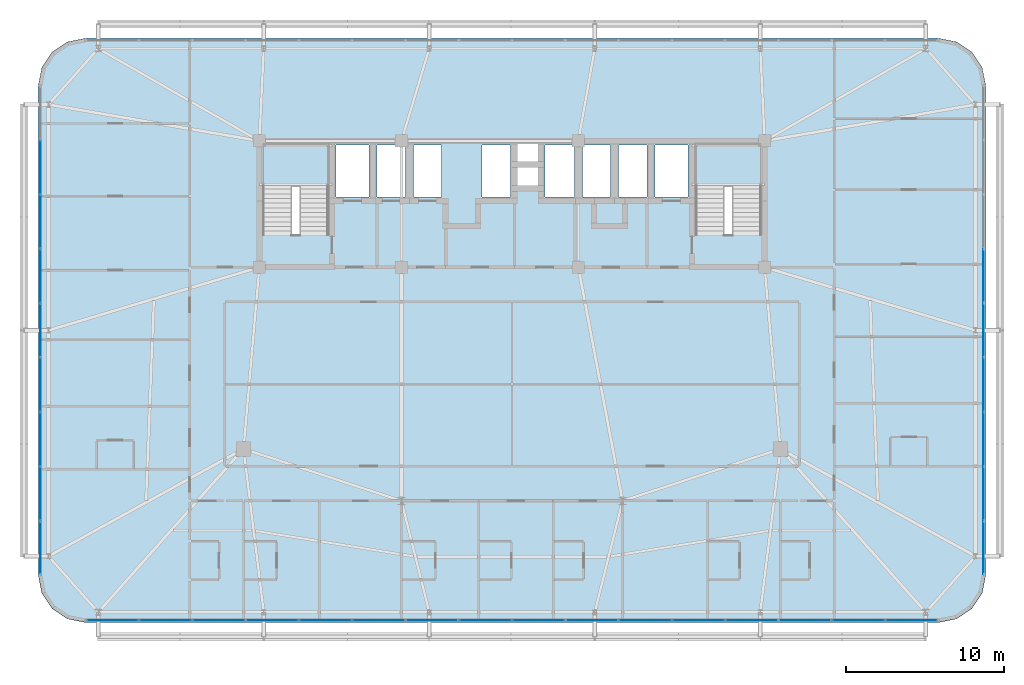
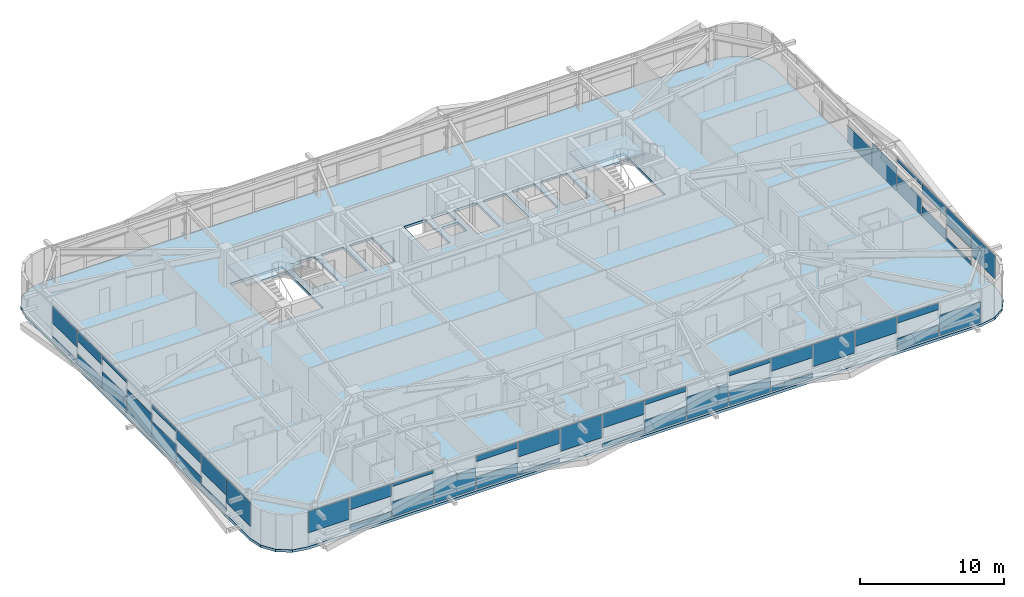
# One storey, part 42 of 59: 48 plates, 3 slabs, 5 elements without a shape of their own.
"""IFC4 building model written with IfcOpenShell, lengths in metres."""

from ifc_helpers import new_model, si_unit, direction, frame, origin, origin_2d, place, context, subcontext, project, spatial, polyline, rectangle, outline, extrude, source, transform, mapped, material, layer, layer_set, type_object, element, aggregate, save


model = new_model("IFC4")

# Units and contexts
model_context = context("Model", 3, precision=1e-05, world=origin(), true_north=direction((0.0, 1.0)))
body_context = subcontext(model_context, "Body", "Model", "MODEL_VIEW")
ifc_project = project(units=[si_unit("LENGTHUNIT", "METRE"), si_unit("AREAUNIT", "SQUARE_METRE"), si_unit("VOLUMEUNIT", "CUBIC_METRE"), si_unit("PLANEANGLEUNIT", "RADIAN"), si_unit("MASSUNIT", "GRAM", prefix="KILO")], contexts=[model_context])

# Site, building, storey
site_placement = place(None, origin())
site = spatial("IfcSite", under=ifc_project, at=site_placement, CompositionType="ELEMENT")
building_placement = place(site_placement, origin())
building = spatial("IfcBuilding", under=site, at=building_placement, Name="Taldren Reach Tower", CompositionType="ELEMENT")
storey_placement = place(building_placement, frame((0.0, 0.0, 23.10009765625)))
storey = spatial("IfcBuildingStorey", under=building, at=storey_placement, Name="L06", CompositionType="ELEMENT", Elevation=23.10009765625)

# Slab
ifc_material_1 = material(Name="Concrete N40 (40 MPa)", Category="concrete")
ifc_layer_1 = layer(ifc_material_1, 0.219970703125)
ifc_layer_set_1 = layer_set([ifc_layer_1], Name="Concrete N40 (40 MPa)")
slab_type_1 = type_object("IfcSlabType", Name="SL-FLR-220", PredefinedType="FLOOR", material=ifc_layer_set_1)
slab_1_placement = place(storey_placement, frame((0.0, 0.0, -0.22021484375)))
element("IfcSlab", 1, at=slab_1_placement, inside=storey, type_object=slab_type_1, Name="Suspended floor slab L06", PredefinedType="FLOOR", context=body_context, shape_type="SweptSolid", body=[
    extrude(outline(polyline([(62.0, 1.5), (63.14794921875, 1.728271484375), (64.121337890625, 2.378662109375), (64.771728515625, 3.35205078125), (65.0, 4.5), (65.0, 35.5), (64.771728515625, 36.64794921875), (64.121337890625, 37.621337890625), (63.14794921875, 38.271728515625), (62.0, 38.5), (8.0, 38.5), (6.85205078125, 38.271728515625), (5.878662109375, 37.621337890625), (5.228271484375, 36.64794921875), (5.0, 35.5), (5.0, 4.5), (5.228271484375, 3.35205078125), (5.878662109375, 2.378662109375), (6.85205078125, 1.728271484375), (8.0, 1.5), (62.0, 1.5)]), holes=[polyline([(19.219970703125, 26.050048828125), (23.3798828125, 26.050048828125), (23.3798828125, 31.820068359375), (19.219970703125, 31.820068359375), (19.219970703125, 26.050048828125)]), polyline([(46.6201171875, 26.050048828125), (50.780029296875, 26.050048828125), (50.780029296875, 31.820068359375), (46.6201171875, 31.820068359375), (46.6201171875, 26.050048828125)]), polyline([(23.85009765625, 28.449951171875), (25.949951171875, 28.449951171875), (25.949951171875, 31.75), (23.85009765625, 31.75), (23.85009765625, 28.449951171875)]), polyline([(44.050048828125, 28.449951171875), (46.14990234375, 28.449951171875), (46.14990234375, 31.75), (44.050048828125, 31.75), (44.050048828125, 28.449951171875)]), polyline([(26.449951171875, 28.449951171875), (28.25, 28.449951171875), (28.25, 31.75), (26.449951171875, 31.75), (26.449951171875, 28.449951171875)]), polyline([(28.75, 28.449951171875), (30.550048828125, 28.449951171875), (30.550048828125, 31.75), (28.75, 31.75), (28.75, 28.449951171875)]), polyline([(33.10009765625, 28.449951171875), (34.89990234375, 28.449951171875), (34.89990234375, 31.75), (33.10009765625, 31.75), (33.10009765625, 28.449951171875)]), polyline([(37.10009765625, 28.449951171875), (38.949951171875, 28.449951171875), (38.949951171875, 31.75), (37.10009765625, 31.75), (37.10009765625, 28.449951171875)]), polyline([(39.449951171875, 28.449951171875), (41.25, 28.449951171875), (41.25, 31.75), (39.449951171875, 31.75), (39.449951171875, 28.449951171875)]), polyline([(41.75, 28.449951171875), (43.550048828125, 28.449951171875), (43.550048828125, 31.75), (41.75, 31.75), (41.75, 28.449951171875)]), polyline([(35.35009765625, 30.64990234375), (36.64990234375, 30.64990234375), (36.64990234375, 31.85009765625), (35.35009765625, 31.85009765625), (35.35009765625, 30.64990234375)]), polyline([(35.35009765625, 29.14990234375), (36.64990234375, 29.14990234375), (36.64990234375, 30.35009765625), (35.35009765625, 30.35009765625), (35.35009765625, 29.14990234375)])]), origin(), (0.0, 0.0, 1.0), 0.22021484375),
])

# Stair, slab
ifc_material_2 = material(Name="Concrete S50 (50 MPa)", Category="concrete")
stair_type = type_object("IfcStairType", Name="ST-HT-315", PredefinedType="HALF_TURN_STAIR", material=ifc_material_2)
stair_1_placement = place(storey_placement, origin())
stair_1 = element("IfcStair", 2, at=stair_1_placement, inside=storey, type_object=stair_type, Name="Fire-isolated exit stair ST1 L06", PredefinedType="HALF_TURN_STAIR")
ifc_layer_2 = layer(ifc_material_2, 0.179931640625)
ifc_layer_set_2 = layer_set([ifc_layer_2], Name="Concrete S50 (50 MPa)")
slab_type_2 = type_object("IfcSlabType", Name="SL-LAND-180", PredefinedType="LANDING", material=ifc_layer_set_2)
slab_2_placement = place(storey_placement, frame((0.0, 0.0, 1.39501953125)))
slab_2 = element("IfcSlab", 3, at=slab_2_placement, type_object=slab_type_2, Name="ST1 landing 1", PredefinedType="LANDING", context=body_context, shape_type="SweptSolid", body=[
    extrude(outline(polyline([(19.0400390625, 29.135009765625), (23.56005859375, 29.135009765625), (23.56005859375, 31.8701171875), (19.0400390625, 31.8701171875), (19.0400390625, 29.135009765625)])), origin(), (0.0, 0.0, 1.0), 0.179931640625),
])
aggregate(stair_1, [slab_2])

stair_2_placement = place(storey_placement, origin())
stair_2 = element("IfcStair", 4, at=stair_2_placement, inside=storey, type_object=stair_type, Name="Fire-isolated exit stair ST2 L06", PredefinedType="HALF_TURN_STAIR")
slab_3_placement = place(storey_placement, frame((0.0, 0.0, 1.39501953125)))
slab_3 = element("IfcSlab", 5, at=slab_3_placement, type_object=slab_type_2, Name="ST2 landing 1", PredefinedType="LANDING", context=body_context, shape_type="SweptSolid", body=[
    extrude(outline(polyline([(46.43994140625, 29.135009765625), (50.9599609375, 29.135009765625), (50.9599609375, 31.8701171875), (46.43994140625, 31.8701171875), (46.43994140625, 29.135009765625)])), origin(), (0.0, 0.0, 1.0), 0.179931640625),
])
aggregate(stair_2, [slab_3])

# Curtain wall, plates
ifc_material_3 = material(Name="Aluminium and Low-E Glass Unitised System", Category="aluminium")
ifc_layer_3 = layer(ifc_material_3, 0.159912109375)
ifc_layer_set_3 = layer_set([ifc_layer_3], Name="Aluminium and Low-E Glass Unitised System")
curtain_wall_type = type_object("IfcCurtainWallType", Name="CW-SYS-2", PredefinedType="NOTDEFINED", material=ifc_layer_set_3)
curtain_wall_1_placement = place(storey_placement, origin())
curtain_wall_1 = element("IfcCurtainWall", 6, at=curtain_wall_1_placement, inside=storey, type_object=curtain_wall_type, Name="Unitised curtain wall CW-L06-S", PredefinedType="NOTDEFINED")
ifc_material_4 = material(Name="Solar-Control Double Glazed IGU", Category="glass")
ifc_layer_4 = layer(ifc_material_4, 0.031982421875)
ifc_layer_set_4 = layer_set([ifc_layer_4], Name="Solar-Control Double Glazed IGU")
plate_type = type_object("IfcPlateType", Name="CW-PNL-IGU32", PredefinedType="CURTAIN_PANEL", material=ifc_layer_set_4)
shared_shape_1 = source(origin(), body_context, "Body", "SweptSolid", [
    extrude(rectangle(XDim=3.277587890625, YDim=0.031982421875, at=origin_2d()), origin(), (0.0, 0.0, 1.0), 1.73876953125),
])
plate_1_placement = place(storey_placement, frame((60.296142578125, 1.639892578125, 0.054931640625), z_axis=(0.0, 0.0, 1.0), x_axis=(1.0, 0.0, 0.0)))
plate_1 = element("IfcPlate", 7, at=plate_1_placement, type_object=plate_type, Name="CW-2 panel 16.1 part 1", PredefinedType="CURTAIN_PANEL", context=body_context, shape_type="MappedRepresentation", body=[
    mapped(shared_shape_1, transform((0.0, 0.0, 0.0), scale=1.0)),
])
shared_shape_2 = source(origin(), body_context, "Body", "SweptSolid", [
    extrude(rectangle(XDim=3.31005859375, YDim=0.031982421875, at=origin_2d()), origin(), (0.0, 0.0, 1.0), 0.9560546875),
])
plate_2_placement = place(storey_placement, frame((56.9375, 1.639892578125, 0.054931640625), z_axis=(0.0, 0.0, 1.0), x_axis=(1.0, 0.0, 0.0)))
plate_2 = element("IfcPlate", 8, at=plate_2_placement, type_object=plate_type, Name="CW-2 panel 15.1 part 1", PredefinedType="CURTAIN_PANEL", context=body_context, shape_type="MappedRepresentation", body=[
    mapped(shared_shape_2, transform((0.0, 0.0, 0.0), scale=1.0)),
])
shared_shape_3 = source(origin(), body_context, "Body", "SweptSolid", [
    extrude(rectangle(XDim=3.31005859375, YDim=0.031982421875, at=origin_2d()), origin(), (0.0, 0.0, 1.0), 0.562744140625),
])
plate_3_placement = place(storey_placement, frame((56.9375, 1.639892578125, 2.31201171875), z_axis=(0.0, 0.0, 1.0), x_axis=(1.0, 0.0, 0.0)))
plate_3 = element("IfcPlate", 9, at=plate_3_placement, type_object=plate_type, Name="CW-2 panel 15.1 part 2", PredefinedType="CURTAIN_PANEL", context=body_context, shape_type="MappedRepresentation", body=[
    mapped(shared_shape_3, transform((0.0, 0.0, 0.0), scale=1.0)),
])
shared_shape_4 = source(origin(), body_context, "Body", "SweptSolid", [
    extrude(rectangle(XDim=3.31005859375, YDim=0.031982421875, at=origin_2d()), origin(), (0.0, 0.0, 1.0), 1.345458984375),
])
plate_4_placement = place(storey_placement, frame((53.5625, 1.639892578125, 1.529296875), z_axis=(0.0, 0.0, 1.0), x_axis=(1.0, 0.0, 0.0)))
plate_4 = element("IfcPlate", 10, at=plate_4_placement, type_object=plate_type, Name="CW-2 panel 14.1 part 1", PredefinedType="CURTAIN_PANEL", context=body_context, shape_type="MappedRepresentation", body=[
    mapped(shared_shape_4, transform((0.0, 0.0, 0.0), scale=1.0)),
])
shared_shape_5 = source(origin(), body_context, "Body", "SweptSolid", [
    extrude(rectangle(XDim=3.31005859375, YDim=0.031982421875, at=origin_2d()), origin(), (0.0, 0.0, 1.0), 1.881103515625),
])
plate_5_placement = place(storey_placement, frame((50.1875, 1.639892578125, 0.99365234375), z_axis=(0.0, 0.0, 1.0), x_axis=(1.0, 0.0, 0.0)))
plate_5 = element("IfcPlate", 11, at=plate_5_placement, type_object=plate_type, Name="CW-2 panel 13.1 part 1", PredefinedType="CURTAIN_PANEL", context=body_context, shape_type="MappedRepresentation", body=[
    mapped(shared_shape_5, transform((0.0, 0.0, 0.0), scale=1.0)),
])
shared_shape_6 = source(origin(), body_context, "Body", "SweptSolid", [
    extrude(rectangle(XDim=3.31005859375, YDim=0.031982421875, at=origin_2d()), origin(), (0.0, 0.0, 1.0), 0.42041015625),
])
plate_6_placement = place(storey_placement, frame((46.8125, 1.639892578125, 0.054931640625), z_axis=(0.0, 0.0, 1.0), x_axis=(1.0, 0.0, 0.0)))
plate_6 = element("IfcPlate", 12, at=plate_6_placement, type_object=plate_type, Name="CW-2 panel 12.1 part 1", PredefinedType="CURTAIN_PANEL", context=body_context, shape_type="MappedRepresentation", body=[
    mapped(shared_shape_6, transform((0.0, 0.0, 0.0), scale=1.0)),
])
shared_shape_7 = source(origin(), body_context, "Body", "SweptSolid", [
    extrude(rectangle(XDim=3.31005859375, YDim=0.031982421875, at=origin_2d()), origin(), (0.0, 0.0, 1.0), 1.098388671875),
])
plate_7_placement = place(storey_placement, frame((46.8125, 1.639892578125, 1.7763671875), z_axis=(0.0, 0.0, 1.0), x_axis=(1.0, 0.0, 0.0)))
plate_7 = element("IfcPlate", 13, at=plate_7_placement, type_object=plate_type, Name="CW-2 panel 12.1 part 2", PredefinedType="CURTAIN_PANEL", context=body_context, shape_type="MappedRepresentation", body=[
    mapped(shared_shape_7, transform((0.0, 0.0, 0.0), scale=1.0)),
])
shared_shape_8 = source(origin(), body_context, "Body", "SweptSolid", [
    extrude(rectangle(XDim=3.31005859375, YDim=0.031982421875, at=origin_2d()), origin(), (0.0, 0.0, 1.0), 1.203125),
])
plate_8_placement = place(storey_placement, frame((43.4375, 1.639892578125, 0.054931640625), z_axis=(0.0, 0.0, 1.0), x_axis=(1.0, 0.0, 0.0)))
plate_8 = element("IfcPlate", 14, at=plate_8_placement, type_object=plate_type, Name="CW-2 panel 11.1 part 1", PredefinedType="CURTAIN_PANEL", context=body_context, shape_type="MappedRepresentation", body=[
    mapped(shared_shape_8, transform((0.0, 0.0, 0.0), scale=1.0)),
])
shared_shape_9 = source(origin(), body_context, "Body", "SweptSolid", [
    extrude(rectangle(XDim=3.31005859375, YDim=0.031982421875, at=origin_2d()), origin(), (0.0, 0.0, 1.0), 0.31591796875),
])
plate_9_placement = place(storey_placement, frame((43.4375, 1.639892578125, 2.55908203125), z_axis=(0.0, 0.0, 1.0), x_axis=(1.0, 0.0, 0.0)))
plate_9 = element("IfcPlate", 15, at=plate_9_placement, type_object=plate_type, Name="CW-2 panel 11.1 part 2", PredefinedType="CURTAIN_PANEL", context=body_context, shape_type="MappedRepresentation", body=[
    mapped(shared_shape_9, transform((0.0, 0.0, 0.0), scale=1.0)),
])
shared_shape_10 = source(origin(), body_context, "Body", "SweptSolid", [
    extrude(rectangle(XDim=3.31005859375, YDim=0.031982421875, at=origin_2d()), origin(), (0.0, 0.0, 1.0), 1.9033203125),
])
plate_10_placement = place(storey_placement, frame((40.0625, 1.639892578125, 0.054931640625), z_axis=(0.0, 0.0, 1.0), x_axis=(1.0, 0.0, 0.0)))
plate_10 = element("IfcPlate", 16, at=plate_10_placement, type_object=plate_type, Name="CW-2 panel 10.1 part 1", PredefinedType="CURTAIN_PANEL", context=body_context, shape_type="MappedRepresentation", body=[
    mapped(shared_shape_10, transform((0.0, 0.0, 0.0), scale=1.0)),
])
shared_shape_11 = source(origin(), body_context, "Body", "SweptSolid", [
    extrude(rectangle(XDim=3.31005859375, YDim=0.031982421875, at=origin_2d()), origin(), (0.0, 0.0, 1.0), 1.120849609375),
])
plate_11_placement = place(storey_placement, frame((36.6875, 1.639892578125, 0.0546875), z_axis=(0.0, 0.0, 1.0), x_axis=(1.0, 0.0, 0.0)))
plate_11 = element("IfcPlate", 17, at=plate_11_placement, type_object=plate_type, Name="CW-2 panel 9.1 part 1", PredefinedType="CURTAIN_PANEL", context=body_context, shape_type="MappedRepresentation", body=[
    mapped(shared_shape_11, transform((0.0, 0.0, 0.0), scale=1.0)),
])
shared_shape_12 = source(origin(), body_context, "Body", "SweptSolid", [
    extrude(rectangle(XDim=3.31005859375, YDim=0.031982421875, at=origin_2d()), origin(), (0.0, 0.0, 1.0), 0.398193359375),
])
plate_12_placement = place(storey_placement, frame((36.6875, 1.639892578125, 2.4765625), z_axis=(0.0, 0.0, 1.0), x_axis=(1.0, 0.0, 0.0)))
plate_12 = element("IfcPlate", 18, at=plate_12_placement, type_object=plate_type, Name="CW-2 panel 9.1 part 2", PredefinedType="CURTAIN_PANEL", context=body_context, shape_type="MappedRepresentation", body=[
    mapped(shared_shape_12, transform((0.0, 0.0, 0.0), scale=1.0)),
])
shared_shape_13 = source(origin(), body_context, "Body", "SweptSolid", [
    extrude(rectangle(XDim=3.31005859375, YDim=0.031982421875, at=origin_2d()), origin(), (0.0, 0.0, 1.0), 0.338134765625),
])
plate_13_placement = place(storey_placement, frame((33.3125, 1.639892578125, 0.05517578125), z_axis=(0.0, 0.0, 1.0), x_axis=(1.0, 0.0, 0.0)))
plate_13 = element("IfcPlate", 19, at=plate_13_placement, type_object=plate_type, Name="CW-2 panel 8.1 part 1", PredefinedType="CURTAIN_PANEL", context=body_context, shape_type="MappedRepresentation", body=[
    mapped(shared_shape_13, transform((0.0, 0.0, 0.0), scale=1.0)),
])
shared_shape_14 = source(origin(), body_context, "Body", "SweptSolid", [
    extrude(rectangle(XDim=3.31005859375, YDim=0.031982421875, at=origin_2d()), origin(), (0.0, 0.0, 1.0), 1.1806640625),
])
plate_14_placement = place(storey_placement, frame((33.3125, 1.639892578125, 1.694091796875), z_axis=(0.0, 0.0, 1.0), x_axis=(1.0, 0.0, 0.0)))
plate_14 = element("IfcPlate", 20, at=plate_14_placement, type_object=plate_type, Name="CW-2 panel 8.1 part 2", PredefinedType="CURTAIN_PANEL", context=body_context, shape_type="MappedRepresentation", body=[
    mapped(shared_shape_14, transform((0.0, 0.0, 0.0), scale=1.0)),
])
shared_shape_15 = source(origin(), body_context, "Body", "SweptSolid", [
    extrude(rectangle(XDim=3.31005859375, YDim=0.031982421875, at=origin_2d()), origin(), (0.0, 0.0, 1.0), 1.96337890625),
])
plate_15_placement = place(storey_placement, frame((29.9375, 1.639892578125, 0.91162109375), z_axis=(0.0, 0.0, 1.0), x_axis=(1.0, 0.0, 0.0)))
plate_15 = element("IfcPlate", 21, at=plate_15_placement, type_object=plate_type, Name="CW-2 panel 7.1 part 1", PredefinedType="CURTAIN_PANEL", context=body_context, shape_type="MappedRepresentation", body=[
    mapped(shared_shape_15, transform((0.0, 0.0, 0.0), scale=1.0)),
])
shared_shape_16 = source(origin(), body_context, "Body", "SweptSolid", [
    extrude(rectangle(XDim=3.31005859375, YDim=0.031982421875, at=origin_2d()), origin(), (0.0, 0.0, 1.0), 0.255859375),
])
plate_16_placement = place(storey_placement, frame((26.5625, 1.639892578125, 0.054931640625), z_axis=(0.0, 0.0, 1.0), x_axis=(1.0, 0.0, 0.0)))
plate_16 = element("IfcPlate", 22, at=plate_16_placement, type_object=plate_type, Name="CW-2 panel 6.1 part 1", PredefinedType="CURTAIN_PANEL", context=body_context, shape_type="MappedRepresentation", body=[
    mapped(shared_shape_16, transform((0.0, 0.0, 0.0), scale=1.0)),
])
shared_shape_17 = source(origin(), body_context, "Body", "SweptSolid", [
    extrude(rectangle(XDim=3.31005859375, YDim=0.031982421875, at=origin_2d()), origin(), (0.0, 0.0, 1.0), 1.26318359375),
])
plate_17_placement = place(storey_placement, frame((26.5625, 1.639892578125, 1.61181640625), z_axis=(0.0, 0.0, 1.0), x_axis=(1.0, 0.0, 0.0)))
plate_17 = element("IfcPlate", 23, at=plate_17_placement, type_object=plate_type, Name="CW-2 panel 6.1 part 2", PredefinedType="CURTAIN_PANEL", context=body_context, shape_type="MappedRepresentation", body=[
    mapped(shared_shape_17, transform((0.0, 0.0, 0.0), scale=1.0)),
])
shared_shape_18 = source(origin(), body_context, "Body", "SweptSolid", [
    extrude(rectangle(XDim=3.31005859375, YDim=0.031982421875, at=origin_2d()), origin(), (0.0, 0.0, 1.0), 1.03857421875),
])
plate_18_placement = place(storey_placement, frame((23.1875, 1.639892578125, 0.054931640625), z_axis=(0.0, 0.0, 1.0), x_axis=(1.0, 0.0, 0.0)))
plate_18 = element("IfcPlate", 24, at=plate_18_placement, type_object=plate_type, Name="CW-2 panel 5.1 part 1", PredefinedType="CURTAIN_PANEL", context=body_context, shape_type="MappedRepresentation", body=[
    mapped(shared_shape_18, transform((0.0, 0.0, 0.0), scale=1.0)),
])
shared_shape_19 = source(origin(), body_context, "Body", "SweptSolid", [
    extrude(rectangle(XDim=3.31005859375, YDim=0.031982421875, at=origin_2d()), origin(), (0.0, 0.0, 1.0), 0.48046875),
])
plate_19_placement = place(storey_placement, frame((23.1875, 1.639892578125, 2.394287109375), z_axis=(0.0, 0.0, 1.0), x_axis=(1.0, 0.0, 0.0)))
plate_19 = element("IfcPlate", 25, at=plate_19_placement, type_object=plate_type, Name="CW-2 panel 5.1 part 2", PredefinedType="CURTAIN_PANEL", context=body_context, shape_type="MappedRepresentation", body=[
    mapped(shared_shape_19, transform((0.0, 0.0, 0.0), scale=1.0)),
])
shared_shape_20 = source(origin(), body_context, "Body", "SweptSolid", [
    extrude(rectangle(XDim=3.31005859375, YDim=0.031982421875, at=origin_2d()), origin(), (0.0, 0.0, 1.0), 1.821044921875),
])
plate_20_placement = place(storey_placement, frame((19.8125, 1.639892578125, 0.0546875), z_axis=(0.0, 0.0, 1.0), x_axis=(1.0, 0.0, 0.0)))
plate_20 = element("IfcPlate", 26, at=plate_20_placement, type_object=plate_type, Name="CW-2 panel 4.1 part 1", PredefinedType="CURTAIN_PANEL", context=body_context, shape_type="MappedRepresentation", body=[
    mapped(shared_shape_20, transform((0.0, 0.0, 0.0), scale=1.0)),
])
shared_shape_21 = source(origin(), body_context, "Body", "SweptSolid", [
    extrude(rectangle(XDim=3.31005859375, YDim=0.031982421875, at=origin_2d()), origin(), (0.0, 0.0, 1.0), 1.285400390625),
])
plate_21_placement = place(storey_placement, frame((16.4375, 1.639892578125, 0.0546875), z_axis=(0.0, 0.0, 1.0), x_axis=(1.0, 0.0, 0.0)))
plate_21 = element("IfcPlate", 27, at=plate_21_placement, type_object=plate_type, Name="CW-2 panel 3.1 part 1", PredefinedType="CURTAIN_PANEL", context=body_context, shape_type="MappedRepresentation", body=[
    mapped(shared_shape_21, transform((0.0, 0.0, 0.0), scale=1.0)),
])
shared_shape_22 = source(origin(), body_context, "Body", "SweptSolid", [
    extrude(rectangle(XDim=3.31005859375, YDim=0.031982421875, at=origin_2d()), origin(), (0.0, 0.0, 1.0), 0.233642578125),
])
plate_22_placement = place(storey_placement, frame((16.4375, 1.639892578125, 2.64111328125), z_axis=(0.0, 0.0, 1.0), x_axis=(1.0, 0.0, 0.0)))
plate_22 = element("IfcPlate", 28, at=plate_22_placement, type_object=plate_type, Name="CW-2 panel 3.1 part 2", PredefinedType="CURTAIN_PANEL", context=body_context, shape_type="MappedRepresentation", body=[
    mapped(shared_shape_22, transform((0.0, 0.0, 0.0), scale=1.0)),
])
shared_shape_23 = source(origin(), body_context, "Body", "SweptSolid", [
    extrude(rectangle(XDim=3.31005859375, YDim=0.031982421875, at=origin_2d()), origin(), (0.0, 0.0, 1.0), 0.5029296875),
])
plate_23_placement = place(storey_placement, frame((13.0625, 1.639892578125, 0.054931640625), z_axis=(0.0, 0.0, 1.0), x_axis=(1.0, 0.0, 0.0)))
plate_23 = element("IfcPlate", 29, at=plate_23_placement, type_object=plate_type, Name="CW-2 panel 2.1 part 1", PredefinedType="CURTAIN_PANEL", context=body_context, shape_type="MappedRepresentation", body=[
    mapped(shared_shape_23, transform((0.0, 0.0, 0.0), scale=1.0)),
])
shared_shape_24 = source(origin(), body_context, "Body", "SweptSolid", [
    extrude(rectangle(XDim=3.31005859375, YDim=0.031982421875, at=origin_2d()), origin(), (0.0, 0.0, 1.0), 1.01611328125),
])
plate_24_placement = place(storey_placement, frame((13.0625, 1.639892578125, 1.85888671875), z_axis=(0.0, 0.0, 1.0), x_axis=(1.0, 0.0, 0.0)))
plate_24 = element("IfcPlate", 30, at=plate_24_placement, type_object=plate_type, Name="CW-2 panel 2.1 part 2", PredefinedType="CURTAIN_PANEL", context=body_context, shape_type="MappedRepresentation", body=[
    mapped(shared_shape_24, transform((0.0, 0.0, 0.0), scale=1.0)),
])
shared_shape_25 = source(origin(), body_context, "Body", "SweptSolid", [
    extrude(rectangle(XDim=3.277587890625, YDim=0.031982421875, at=origin_2d()), origin(), (0.0, 0.0, 1.0), 1.798583984375),
])
plate_25_placement = place(storey_placement, frame((9.703857421875, 1.639892578125, 1.076171875), z_axis=(0.0, 0.0, 1.0), x_axis=(1.0, 0.0, 0.0)))
plate_25 = element("IfcPlate", 31, at=plate_25_placement, type_object=plate_type, Name="CW-2 panel 1.1 part 1", PredefinedType="CURTAIN_PANEL", context=body_context, shape_type="MappedRepresentation", body=[
    mapped(shared_shape_25, transform((0.0, 0.0, 0.0), scale=1.0)),
])
aggregate(curtain_wall_1, [plate_25, plate_23, plate_24, plate_21, plate_22, plate_20, plate_18, plate_19, plate_16, plate_17, plate_15, plate_13, plate_14, plate_11, plate_12, plate_10, plate_8, plate_9, plate_6, plate_7, plate_5, plate_4, plate_2, plate_3, plate_1])

# Curtain wall, plate
curtain_wall_2_placement = place(storey_placement, origin())
curtain_wall_2 = element("IfcCurtainWall", 32, at=curtain_wall_2_placement, inside=storey, type_object=curtain_wall_type, Name="Unitised curtain wall CW-L06-W", PredefinedType="NOTDEFINED")
shared_shape_26 = source(origin(), body_context, "Body", "SweptSolid", [
    extrude(rectangle(XDim=3.346923828125, YDim=0.031982421875, at=origin_2d()), origin(), (0.0, 0.0, 1.0), 2.015380859375),
])
plate_26_placement = place(storey_placement, frame((5.139892578125, 6.238525390625, 0.859375), z_axis=(0.0, 0.0, 1.0), x_axis=(0.0, -1.0, 0.0)))
plate_26 = element("IfcPlate", 33, at=plate_26_placement, type_object=plate_type, Name="CW-2 panel 9.1 part 1", PredefinedType="CURTAIN_PANEL", context=body_context, shape_type="MappedRepresentation", body=[
    mapped(shared_shape_26, transform((0.0, 0.0, 0.0), scale=1.0)),
])

curtain_wall_3_placement = place(storey_placement, origin())
curtain_wall_3 = element("IfcCurtainWall", 34, at=curtain_wall_3_placement, inside=storey, type_object=curtain_wall_type, Name="Unitised curtain wall CW-L06-E", PredefinedType="NOTDEFINED")
plate_27_placement = place(storey_placement, frame((64.860107421875, 6.238525390625, 0.859375), z_axis=(0.0, 0.0, 1.0), x_axis=(0.0, 1.0, 0.0)))
plate_27 = element("IfcPlate", 35, at=plate_27_placement, type_object=plate_type, Name="CW-2 panel 1.1 part 1", PredefinedType="CURTAIN_PANEL", context=body_context, shape_type="MappedRepresentation", body=[
    mapped(shared_shape_26, transform((0.0, 0.0, 0.0), scale=1.0)),
])

# Plate
shared_shape_27 = source(origin(), body_context, "Body", "SweptSolid", [
    extrude(rectangle(XDim=3.37939453125, YDim=0.031982421875, at=origin_2d()), origin(), (0.0, 0.0, 1.0), 0.288330078125),
])
plate_28_placement = place(storey_placement, frame((5.139892578125, 30.333251953125, 0.0546875), z_axis=(0.0, 0.0, 1.0), x_axis=(0.0, -1.0, 0.0)))
plate_28 = element("IfcPlate", 36, at=plate_28_placement, type_object=plate_type, Name="CW-2 panel 2.1 part 1", PredefinedType="CURTAIN_PANEL", context=body_context, shape_type="MappedRepresentation", body=[
    mapped(shared_shape_27, transform((0.0, 0.0, 0.0), scale=1.0)),
])

plate_29_placement = place(storey_placement, frame((5.139892578125, 9.666748046875, 0.0546875), z_axis=(0.0, 0.0, 1.0), x_axis=(0.0, -1.0, 0.0)))
plate_29 = element("IfcPlate", 37, at=plate_29_placement, type_object=plate_type, Name="CW-2 panel 8.1 part 1", PredefinedType="CURTAIN_PANEL", context=body_context, shape_type="MappedRepresentation", body=[
    mapped(shared_shape_27, transform((0.0, 0.0, 0.0), scale=1.0)),
])

plate_30_placement = place(storey_placement, frame((64.860107421875, 9.666748046875, 0.0546875), z_axis=(0.0, 0.0, 1.0), x_axis=(0.0, 1.0, 0.0)))
plate_30 = element("IfcPlate", 38, at=plate_30_placement, type_object=plate_type, Name="CW-2 panel 2.1 part 1", PredefinedType="CURTAIN_PANEL", context=body_context, shape_type="MappedRepresentation", body=[
    mapped(shared_shape_27, transform((0.0, 0.0, 0.0), scale=1.0)),
])

shared_shape_28 = source(origin(), body_context, "Body", "SweptSolid", [
    extrude(rectangle(XDim=3.37939453125, YDim=0.031982421875, at=origin_2d()), origin(), (0.0, 0.0, 1.0), 1.43017578125),
])
plate_31_placement = place(storey_placement, frame((5.139892578125, 30.333251953125, 1.44482421875), z_axis=(0.0, 0.0, 1.0), x_axis=(0.0, -1.0, 0.0)))
plate_31 = element("IfcPlate", 39, at=plate_31_placement, type_object=plate_type, Name="CW-2 panel 2.1 part 2", PredefinedType="CURTAIN_PANEL", context=body_context, shape_type="MappedRepresentation", body=[
    mapped(shared_shape_28, transform((0.0, 0.0, 0.0), scale=1.0)),
])

plate_32_placement = place(storey_placement, frame((5.139892578125, 9.666748046875, 1.44482421875), z_axis=(0.0, 0.0, 1.0), x_axis=(0.0, -1.0, 0.0)))
plate_32 = element("IfcPlate", 40, at=plate_32_placement, type_object=plate_type, Name="CW-2 panel 8.1 part 2", PredefinedType="CURTAIN_PANEL", context=body_context, shape_type="MappedRepresentation", body=[
    mapped(shared_shape_28, transform((0.0, 0.0, 0.0), scale=1.0)),
])

plate_33_placement = place(storey_placement, frame((64.860107421875, 9.666748046875, 1.44482421875), z_axis=(0.0, 0.0, 1.0), x_axis=(0.0, 1.0, 0.0)))
plate_33 = element("IfcPlate", 41, at=plate_33_placement, type_object=plate_type, Name="CW-2 panel 2.1 part 2", PredefinedType="CURTAIN_PANEL", context=body_context, shape_type="MappedRepresentation", body=[
    mapped(shared_shape_28, transform((0.0, 0.0, 0.0), scale=1.0)),
])

shared_shape_29 = source(origin(), body_context, "Body", "SweptSolid", [
    extrude(rectangle(XDim=3.37939453125, YDim=0.031982421875, at=origin_2d()), origin(), (0.0, 0.0, 1.0), 0.87353515625),
])
plate_34_placement = place(storey_placement, frame((5.139892578125, 26.888916015625, 0.054931640625), z_axis=(0.0, 0.0, 1.0), x_axis=(0.0, -1.0, 0.0)))
plate_34 = element("IfcPlate", 42, at=plate_34_placement, type_object=plate_type, Name="CW-2 panel 3.1 part 1", PredefinedType="CURTAIN_PANEL", context=body_context, shape_type="MappedRepresentation", body=[
    mapped(shared_shape_29, transform((0.0, 0.0, 0.0), scale=1.0)),
])

plate_35_placement = place(storey_placement, frame((5.139892578125, 13.111083984375, 0.054931640625), z_axis=(0.0, 0.0, 1.0), x_axis=(0.0, -1.0, 0.0)))
plate_35 = element("IfcPlate", 43, at=plate_35_placement, type_object=plate_type, Name="CW-2 panel 7.1 part 1", PredefinedType="CURTAIN_PANEL", context=body_context, shape_type="MappedRepresentation", body=[
    mapped(shared_shape_29, transform((0.0, 0.0, 0.0), scale=1.0)),
])

plate_36_placement = place(storey_placement, frame((64.860107421875, 13.111083984375, 0.054931640625), z_axis=(0.0, 0.0, 1.0), x_axis=(0.0, 1.0, 0.0)))
plate_36 = element("IfcPlate", 44, at=plate_36_placement, type_object=plate_type, Name="CW-2 panel 3.1 part 1", PredefinedType="CURTAIN_PANEL", context=body_context, shape_type="MappedRepresentation", body=[
    mapped(shared_shape_29, transform((0.0, 0.0, 0.0), scale=1.0)),
])

shared_shape_30 = source(origin(), body_context, "Body", "SweptSolid", [
    extrude(rectangle(XDim=3.37939453125, YDim=0.031982421875, at=origin_2d()), origin(), (0.0, 0.0, 1.0), 0.8447265625),
])
plate_37_placement = place(storey_placement, frame((5.139892578125, 26.888916015625, 2.030029296875), z_axis=(0.0, 0.0, 1.0), x_axis=(0.0, -1.0, 0.0)))
plate_37 = element("IfcPlate", 45, at=plate_37_placement, type_object=plate_type, Name="CW-2 panel 3.1 part 2", PredefinedType="CURTAIN_PANEL", context=body_context, shape_type="MappedRepresentation", body=[
    mapped(shared_shape_30, transform((0.0, 0.0, 0.0), scale=1.0)),
])

plate_38_placement = place(storey_placement, frame((5.139892578125, 13.111083984375, 2.030029296875), z_axis=(0.0, 0.0, 1.0), x_axis=(0.0, -1.0, 0.0)))
plate_38 = element("IfcPlate", 46, at=plate_38_placement, type_object=plate_type, Name="CW-2 panel 7.1 part 2", PredefinedType="CURTAIN_PANEL", context=body_context, shape_type="MappedRepresentation", body=[
    mapped(shared_shape_30, transform((0.0, 0.0, 0.0), scale=1.0)),
])

plate_39_placement = place(storey_placement, frame((64.860107421875, 13.111083984375, 2.030029296875), z_axis=(0.0, 0.0, 1.0), x_axis=(0.0, 1.0, 0.0)))
plate_39 = element("IfcPlate", 47, at=plate_39_placement, type_object=plate_type, Name="CW-2 panel 3.1 part 2", PredefinedType="CURTAIN_PANEL", context=body_context, shape_type="MappedRepresentation", body=[
    mapped(shared_shape_30, transform((0.0, 0.0, 0.0), scale=1.0)),
])

shared_shape_31 = source(origin(), body_context, "Body", "SweptSolid", [
    extrude(rectangle(XDim=3.37939453125, YDim=0.031982421875, at=origin_2d()), origin(), (0.0, 0.0, 1.0), 1.458984375),
])
plate_40_placement = place(storey_placement, frame((5.139892578125, 23.4443359375, 0.054931640625), z_axis=(0.0, 0.0, 1.0), x_axis=(0.0, -1.0, 0.0)))
plate_40 = element("IfcPlate", 48, at=plate_40_placement, type_object=plate_type, Name="CW-2 panel 4.1 part 1", PredefinedType="CURTAIN_PANEL", context=body_context, shape_type="MappedRepresentation", body=[
    mapped(shared_shape_31, transform((0.0, 0.0, 0.0), scale=1.0)),
])

plate_41_placement = place(storey_placement, frame((5.139892578125, 16.5556640625, 0.054931640625), z_axis=(0.0, 0.0, 1.0), x_axis=(0.0, -1.0, 0.0)))
plate_41 = element("IfcPlate", 49, at=plate_41_placement, type_object=plate_type, Name="CW-2 panel 6.1 part 1", PredefinedType="CURTAIN_PANEL", context=body_context, shape_type="MappedRepresentation", body=[
    mapped(shared_shape_31, transform((0.0, 0.0, 0.0), scale=1.0)),
])

plate_42_placement = place(storey_placement, frame((64.860107421875, 16.5556640625, 0.054931640625), z_axis=(0.0, 0.0, 1.0), x_axis=(0.0, 1.0, 0.0)))
plate_42 = element("IfcPlate", 50, at=plate_42_placement, type_object=plate_type, Name="CW-2 panel 4.1 part 1", PredefinedType="CURTAIN_PANEL", context=body_context, shape_type="MappedRepresentation", body=[
    mapped(shared_shape_31, transform((0.0, 0.0, 0.0), scale=1.0)),
])

plate_43_placement = place(storey_placement, frame((64.860107421875, 23.4443359375, 0.054931640625), z_axis=(0.0, 0.0, 1.0), x_axis=(0.0, 1.0, 0.0)))
plate_43 = element("IfcPlate", 51, at=plate_43_placement, type_object=plate_type, Name="CW-2 panel 6.1 part 1", PredefinedType="CURTAIN_PANEL", context=body_context, shape_type="MappedRepresentation", body=[
    mapped(shared_shape_31, transform((0.0, 0.0, 0.0), scale=1.0)),
])

shared_shape_32 = source(origin(), body_context, "Body", "SweptSolid", [
    extrude(rectangle(XDim=3.37939453125, YDim=0.031982421875, at=origin_2d()), origin(), (0.0, 0.0, 1.0), 0.259521484375),
])
plate_44_placement = place(storey_placement, frame((5.139892578125, 23.4443359375, 2.615234375), z_axis=(0.0, 0.0, 1.0), x_axis=(0.0, -1.0, 0.0)))
plate_44 = element("IfcPlate", 52, at=plate_44_placement, type_object=plate_type, Name="CW-2 panel 4.1 part 2", PredefinedType="CURTAIN_PANEL", context=body_context, shape_type="MappedRepresentation", body=[
    mapped(shared_shape_32, transform((0.0, 0.0, 0.0), scale=1.0)),
])

plate_45_placement = place(storey_placement, frame((5.139892578125, 16.5556640625, 2.615234375), z_axis=(0.0, 0.0, 1.0), x_axis=(0.0, -1.0, 0.0)))
plate_45 = element("IfcPlate", 53, at=plate_45_placement, type_object=plate_type, Name="CW-2 panel 6.1 part 2", PredefinedType="CURTAIN_PANEL", context=body_context, shape_type="MappedRepresentation", body=[
    mapped(shared_shape_32, transform((0.0, 0.0, 0.0), scale=1.0)),
])

plate_46_placement = place(storey_placement, frame((64.860107421875, 16.5556640625, 2.615234375), z_axis=(0.0, 0.0, 1.0), x_axis=(0.0, 1.0, 0.0)))
plate_46 = element("IfcPlate", 54, at=plate_46_placement, type_object=plate_type, Name="CW-2 panel 4.1 part 2", PredefinedType="CURTAIN_PANEL", context=body_context, shape_type="MappedRepresentation", body=[
    mapped(shared_shape_32, transform((0.0, 0.0, 0.0), scale=1.0)),
])

shared_shape_33 = source(origin(), body_context, "Body", "SweptSolid", [
    extrude(rectangle(XDim=3.37939453125, YDim=0.031982421875, at=origin_2d()), origin(), (0.0, 0.0, 1.0), 2.044189453125),
])
plate_47_placement = place(storey_placement, frame((5.139892578125, 20.0, 0.0546875), z_axis=(0.0, 0.0, 1.0), x_axis=(0.0, -1.0, 0.0)))
plate_47 = element("IfcPlate", 55, at=plate_47_placement, type_object=plate_type, Name="CW-2 panel 5.1 part 1", PredefinedType="CURTAIN_PANEL", context=body_context, shape_type="MappedRepresentation", body=[
    mapped(shared_shape_33, transform((0.0, 0.0, 0.0), scale=1.0)),
])

aggregate(curtain_wall_2, [plate_28, plate_31, plate_34, plate_37, plate_40, plate_44, plate_47, plate_41, plate_45, plate_35, plate_38, plate_29, plate_32, plate_26])

plate_48_placement = place(storey_placement, frame((64.860107421875, 20.0, 0.0546875), z_axis=(0.0, 0.0, 1.0), x_axis=(0.0, 1.0, 0.0)))
plate_48 = element("IfcPlate", 56, at=plate_48_placement, type_object=plate_type, Name="CW-2 panel 5.1 part 1", PredefinedType="CURTAIN_PANEL", context=body_context, shape_type="MappedRepresentation", body=[
    mapped(shared_shape_33, transform((0.0, 0.0, 0.0), scale=1.0)),
])

aggregate(curtain_wall_3, [plate_27, plate_30, plate_33, plate_36, plate_39, plate_42, plate_46, plate_48, plate_43])

save(model, "model.ifc")
